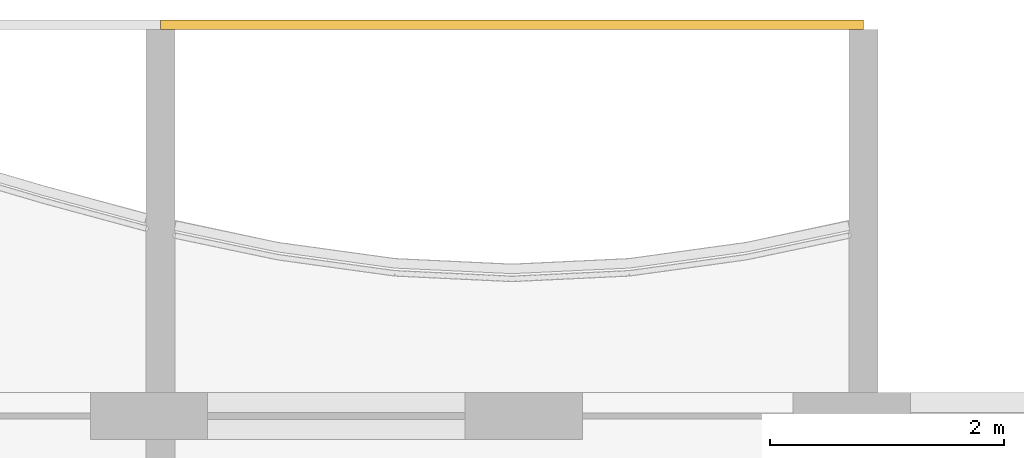
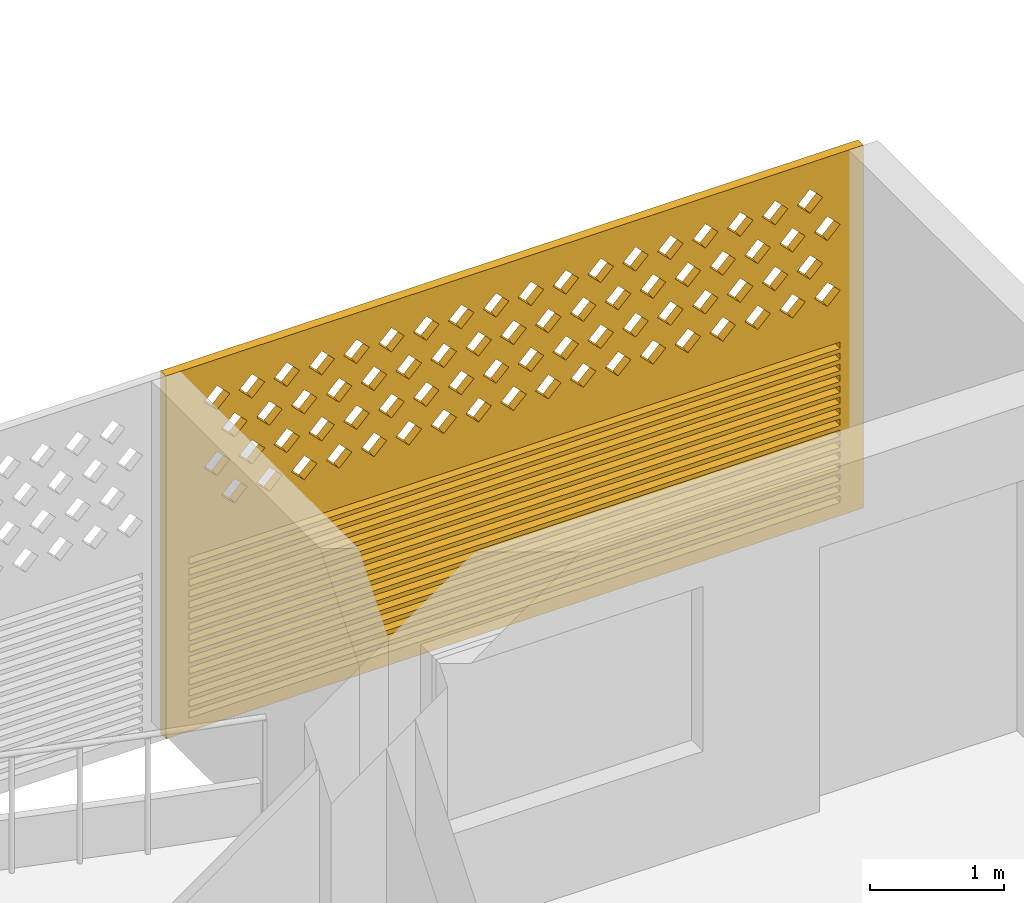
# One storey, part 19 of 27: 1 covering.
"""IFC4 building model written with IfcOpenShell, lengths in metres."""

from ifc_helpers import new_model, si_unit, direction, frame, origin, place, context, subcontext, project, spatial, polyline, outline, extrude, source, transform, mapped, material, material_profile, profile_set, type_object, element, save


model = new_model("IFC4")

# Units and contexts
model_context = context("Model", 3, precision=1e-05, world=origin(), true_north=direction((0.0, 1.0)))
body_context = subcontext(model_context, "Body", "Model", "MODEL_VIEW")
ifc_project = project(units=[si_unit("LENGTHUNIT", "METRE"), si_unit("AREAUNIT", "SQUARE_METRE"), si_unit("VOLUMEUNIT", "CUBIC_METRE"), si_unit("PLANEANGLEUNIT", "RADIAN"), si_unit("MASSUNIT", "GRAM", prefix="KILO")], contexts=[model_context])

# Site, building, storey
site_placement = place(None, origin())
site = spatial("IfcSite", under=ifc_project, at=site_placement, CompositionType="ELEMENT")
building_placement = place(site_placement, origin())
building = spatial("IfcBuilding", under=site, at=building_placement, Name="Poui Terraces", CompositionType="ELEMENT")
storey_placement = place(building_placement, frame((0.0, 0.0, 251.10009765625)))
storey = spatial("IfcBuildingStorey", under=building, at=storey_placement, Name="L70", CompositionType="ELEMENT", Elevation=251.10009765625)

# Covering
ifc_material = material(Name="Terracotta screen", Category="masonry")
ifc_material_profile = material_profile(ifc_material, outline(polyline([(-3.0, -1.64990234375), (3.0, -1.64990234375), (3.0, 1.64990234375), (-3.0, 1.64990234375), (-3.0, -1.64990234375)]), holes=[polyline([(-2.800048828125, 0.39990234375), (-2.68994140625, 0.2900390625), (-2.580078125, 0.39990234375), (-2.68994140625, 0.510009765625), (-2.800048828125, 0.39990234375)]), polyline([(-2.5, 0.39990234375), (-2.389892578125, 0.2900390625), (-2.280029296875, 0.39990234375), (-2.389892578125, 0.510009765625), (-2.5, 0.39990234375)]), polyline([(-2.199951171875, 0.39990234375), (-2.090087890625, 0.2900390625), (-1.97998046875, 0.39990234375), (-2.090087890625, 0.510009765625), (-2.199951171875, 0.39990234375)]), polyline([(-1.89990234375, 0.39990234375), (-1.7900390625, 0.2900390625), (-1.679931640625, 0.39990234375), (-1.7900390625, 0.510009765625), (-1.89990234375, 0.39990234375)]), polyline([(-1.60009765625, 0.39990234375), (-1.489990234375, 0.2900390625), (-1.3798828125, 0.39990234375), (-1.489990234375, 0.510009765625), (-1.60009765625, 0.39990234375)]), polyline([(-1.300048828125, 0.39990234375), (-1.18994140625, 0.2900390625), (-1.080078125, 0.39990234375), (-1.18994140625, 0.510009765625), (-1.300048828125, 0.39990234375)]), polyline([(-1.0, 0.39990234375), (-0.889892578125, 0.2900390625), (-0.780029296875, 0.39990234375), (-0.889892578125, 0.510009765625), (-1.0, 0.39990234375)]), polyline([(-0.699951171875, 0.39990234375), (-0.590087890625, 0.2900390625), (-0.47998046875, 0.39990234375), (-0.590087890625, 0.510009765625), (-0.699951171875, 0.39990234375)]), polyline([(-0.39990234375, 0.39990234375), (-0.2900390625, 0.2900390625), (-0.179931640625, 0.39990234375), (-0.2900390625, 0.510009765625), (-0.39990234375, 0.39990234375)]), polyline([(-0.10009765625, 0.39990234375), (0.010009765625, 0.2900390625), (0.1201171875, 0.39990234375), (0.010009765625, 0.510009765625), (-0.10009765625, 0.39990234375)]), polyline([(0.199951171875, 0.39990234375), (0.31005859375, 0.2900390625), (0.419921875, 0.39990234375), (0.31005859375, 0.510009765625), (0.199951171875, 0.39990234375)]), polyline([(0.5, 0.39990234375), (0.610107421875, 0.2900390625), (0.719970703125, 0.39990234375), (0.610107421875, 0.510009765625), (0.5, 0.39990234375)]), polyline([(0.800048828125, 0.39990234375), (0.909912109375, 0.2900390625), (1.02001953125, 0.39990234375), (0.909912109375, 0.510009765625), (0.800048828125, 0.39990234375)]), polyline([(1.10009765625, 0.39990234375), (1.2099609375, 0.2900390625), (1.320068359375, 0.39990234375), (1.2099609375, 0.510009765625), (1.10009765625, 0.39990234375)]), polyline([(1.39990234375, 0.39990234375), (1.510009765625, 0.2900390625), (1.6201171875, 0.39990234375), (1.510009765625, 0.510009765625), (1.39990234375, 0.39990234375)]), polyline([(1.699951171875, 0.39990234375), (1.81005859375, 0.2900390625), (1.919921875, 0.39990234375), (1.81005859375, 0.510009765625), (1.699951171875, 0.39990234375)]), polyline([(2.0, 0.39990234375), (2.110107421875, 0.2900390625), (2.219970703125, 0.39990234375), (2.110107421875, 0.510009765625), (2.0, 0.39990234375)]), polyline([(2.300048828125, 0.39990234375), (2.409912109375, 0.2900390625), (2.52001953125, 0.39990234375), (2.409912109375, 0.510009765625), (2.300048828125, 0.39990234375)]), polyline([(-2.64990234375, 0.699951171875), (-2.5400390625, 0.590087890625), (-2.429931640625, 0.699951171875), (-2.5400390625, 0.81005859375), (-2.64990234375, 0.699951171875)]), polyline([(-2.35009765625, 0.699951171875), (-2.239990234375, 0.590087890625), (-2.1298828125, 0.699951171875), (-2.239990234375, 0.81005859375), (-2.35009765625, 0.699951171875)]), polyline([(-2.050048828125, 0.699951171875), (-1.93994140625, 0.590087890625), (-1.830078125, 0.699951171875), (-1.93994140625, 0.81005859375), (-2.050048828125, 0.699951171875)]), polyline([(-1.75, 0.699951171875), (-1.639892578125, 0.590087890625), (-1.530029296875, 0.699951171875), (-1.639892578125, 0.81005859375), (-1.75, 0.699951171875)]), polyline([(-1.449951171875, 0.699951171875), (-1.340087890625, 0.590087890625), (-1.22998046875, 0.699951171875), (-1.340087890625, 0.81005859375), (-1.449951171875, 0.699951171875)]), polyline([(-1.14990234375, 0.699951171875), (-1.0400390625, 0.590087890625), (-0.929931640625, 0.699951171875), (-1.0400390625, 0.81005859375), (-1.14990234375, 0.699951171875)]), polyline([(-0.85009765625, 0.699951171875), (-0.739990234375, 0.590087890625), (-0.6298828125, 0.699951171875), (-0.739990234375, 0.81005859375), (-0.85009765625, 0.699951171875)]), polyline([(-0.550048828125, 0.699951171875), (-0.43994140625, 0.590087890625), (-0.330078125, 0.699951171875), (-0.43994140625, 0.81005859375), (-0.550048828125, 0.699951171875)]), polyline([(-0.25, 0.699951171875), (-0.139892578125, 0.590087890625), (-0.030029296875, 0.699951171875), (-0.139892578125, 0.81005859375), (-0.25, 0.699951171875)]), polyline([(0.050048828125, 0.699951171875), (0.159912109375, 0.590087890625), (0.27001953125, 0.699951171875), (0.159912109375, 0.81005859375), (0.050048828125, 0.699951171875)]), polyline([(0.35009765625, 0.699951171875), (0.4599609375, 0.590087890625), (0.570068359375, 0.699951171875), (0.4599609375, 0.81005859375), (0.35009765625, 0.699951171875)]), polyline([(0.64990234375, 0.699951171875), (0.760009765625, 0.590087890625), (0.8701171875, 0.699951171875), (0.760009765625, 0.81005859375), (0.64990234375, 0.699951171875)]), polyline([(0.949951171875, 0.699951171875), (1.06005859375, 0.590087890625), (1.169921875, 0.699951171875), (1.06005859375, 0.81005859375), (0.949951171875, 0.699951171875)]), polyline([(1.25, 0.699951171875), (1.360107421875, 0.590087890625), (1.469970703125, 0.699951171875), (1.360107421875, 0.81005859375), (1.25, 0.699951171875)]), polyline([(1.550048828125, 0.699951171875), (1.659912109375, 0.590087890625), (1.77001953125, 0.699951171875), (1.659912109375, 0.81005859375), (1.550048828125, 0.699951171875)]), polyline([(1.85009765625, 0.699951171875), (1.9599609375, 0.590087890625), (2.070068359375, 0.699951171875), (1.9599609375, 0.81005859375), (1.85009765625, 0.699951171875)]), polyline([(2.14990234375, 0.699951171875), (2.260009765625, 0.590087890625), (2.3701171875, 0.699951171875), (2.260009765625, 0.81005859375), (2.14990234375, 0.699951171875)]), polyline([(2.449951171875, 0.699951171875), (2.56005859375, 0.590087890625), (2.669921875, 0.699951171875), (2.56005859375, 0.81005859375), (2.449951171875, 0.699951171875)]), polyline([(-2.800048828125, 1.0), (-2.68994140625, 0.889892578125), (-2.580078125, 1.0), (-2.68994140625, 1.110107421875), (-2.800048828125, 1.0)]), polyline([(-2.5, 1.0), (-2.389892578125, 0.889892578125), (-2.280029296875, 1.0), (-2.389892578125, 1.110107421875), (-2.5, 1.0)]), polyline([(-2.199951171875, 1.0), (-2.090087890625, 0.889892578125), (-1.97998046875, 1.0), (-2.090087890625, 1.110107421875), (-2.199951171875, 1.0)]), polyline([(-1.89990234375, 1.0), (-1.7900390625, 0.889892578125), (-1.679931640625, 1.0), (-1.7900390625, 1.110107421875), (-1.89990234375, 1.0)]), polyline([(-1.60009765625, 1.0), (-1.489990234375, 0.889892578125), (-1.3798828125, 1.0), (-1.489990234375, 1.110107421875), (-1.60009765625, 1.0)]), polyline([(-1.300048828125, 1.0), (-1.18994140625, 0.889892578125), (-1.080078125, 1.0), (-1.18994140625, 1.110107421875), (-1.300048828125, 1.0)]), polyline([(-1.0, 1.0), (-0.889892578125, 0.889892578125), (-0.780029296875, 1.0), (-0.889892578125, 1.110107421875), (-1.0, 1.0)]), polyline([(-0.699951171875, 1.0), (-0.590087890625, 0.889892578125), (-0.47998046875, 1.0), (-0.590087890625, 1.110107421875), (-0.699951171875, 1.0)]), polyline([(-0.39990234375, 1.0), (-0.2900390625, 0.889892578125), (-0.179931640625, 1.0), (-0.2900390625, 1.110107421875), (-0.39990234375, 1.0)]), polyline([(-0.10009765625, 1.0), (0.010009765625, 0.889892578125), (0.1201171875, 1.0), (0.010009765625, 1.110107421875), (-0.10009765625, 1.0)]), polyline([(0.199951171875, 1.0), (0.31005859375, 0.889892578125), (0.419921875, 1.0), (0.31005859375, 1.110107421875), (0.199951171875, 1.0)]), polyline([(0.5, 1.0), (0.610107421875, 0.889892578125), (0.719970703125, 1.0), (0.610107421875, 1.110107421875), (0.5, 1.0)]), polyline([(0.800048828125, 1.0), (0.909912109375, 0.889892578125), (1.02001953125, 1.0), (0.909912109375, 1.110107421875), (0.800048828125, 1.0)]), polyline([(1.10009765625, 1.0), (1.2099609375, 0.889892578125), (1.320068359375, 1.0), (1.2099609375, 1.110107421875), (1.10009765625, 1.0)]), polyline([(1.39990234375, 1.0), (1.510009765625, 0.889892578125), (1.6201171875, 1.0), (1.510009765625, 1.110107421875), (1.39990234375, 1.0)]), polyline([(1.699951171875, 1.0), (1.81005859375, 0.889892578125), (1.919921875, 1.0), (1.81005859375, 1.110107421875), (1.699951171875, 1.0)]), polyline([(2.0, 1.0), (2.110107421875, 0.889892578125), (2.219970703125, 1.0), (2.110107421875, 1.110107421875), (2.0, 1.0)]), polyline([(2.300048828125, 1.0), (2.409912109375, 0.889892578125), (2.52001953125, 1.0), (2.409912109375, 1.110107421875), (2.300048828125, 1.0)]), polyline([(-2.64990234375, 1.300048828125), (-2.5400390625, 1.18994140625), (-2.429931640625, 1.300048828125), (-2.5400390625, 1.409912109375), (-2.64990234375, 1.300048828125)]), polyline([(-2.35009765625, 1.300048828125), (-2.239990234375, 1.18994140625), (-2.1298828125, 1.300048828125), (-2.239990234375, 1.409912109375), (-2.35009765625, 1.300048828125)]), polyline([(-2.050048828125, 1.300048828125), (-1.93994140625, 1.18994140625), (-1.830078125, 1.300048828125), (-1.93994140625, 1.409912109375), (-2.050048828125, 1.300048828125)]), polyline([(-1.75, 1.300048828125), (-1.639892578125, 1.18994140625), (-1.530029296875, 1.300048828125), (-1.639892578125, 1.409912109375), (-1.75, 1.300048828125)]), polyline([(-1.449951171875, 1.300048828125), (-1.340087890625, 1.18994140625), (-1.22998046875, 1.300048828125), (-1.340087890625, 1.409912109375), (-1.449951171875, 1.300048828125)]), polyline([(-1.14990234375, 1.300048828125), (-1.0400390625, 1.18994140625), (-0.929931640625, 1.300048828125), (-1.0400390625, 1.409912109375), (-1.14990234375, 1.300048828125)]), polyline([(-0.85009765625, 1.300048828125), (-0.739990234375, 1.18994140625), (-0.6298828125, 1.300048828125), (-0.739990234375, 1.409912109375), (-0.85009765625, 1.300048828125)]), polyline([(-0.550048828125, 1.300048828125), (-0.43994140625, 1.18994140625), (-0.330078125, 1.300048828125), (-0.43994140625, 1.409912109375), (-0.550048828125, 1.300048828125)]), polyline([(-0.25, 1.300048828125), (-0.139892578125, 1.18994140625), (-0.030029296875, 1.300048828125), (-0.139892578125, 1.409912109375), (-0.25, 1.300048828125)]), polyline([(0.050048828125, 1.300048828125), (0.159912109375, 1.18994140625), (0.27001953125, 1.300048828125), (0.159912109375, 1.409912109375), (0.050048828125, 1.300048828125)]), polyline([(0.35009765625, 1.300048828125), (0.4599609375, 1.18994140625), (0.570068359375, 1.300048828125), (0.4599609375, 1.409912109375), (0.35009765625, 1.300048828125)]), polyline([(0.64990234375, 1.300048828125), (0.760009765625, 1.18994140625), (0.8701171875, 1.300048828125), (0.760009765625, 1.409912109375), (0.64990234375, 1.300048828125)]), polyline([(0.949951171875, 1.300048828125), (1.06005859375, 1.18994140625), (1.169921875, 1.300048828125), (1.06005859375, 1.409912109375), (0.949951171875, 1.300048828125)]), polyline([(1.25, 1.300048828125), (1.360107421875, 1.18994140625), (1.469970703125, 1.300048828125), (1.360107421875, 1.409912109375), (1.25, 1.300048828125)]), polyline([(1.550048828125, 1.300048828125), (1.659912109375, 1.18994140625), (1.77001953125, 1.300048828125), (1.659912109375, 1.409912109375), (1.550048828125, 1.300048828125)]), polyline([(1.85009765625, 1.300048828125), (1.9599609375, 1.18994140625), (2.070068359375, 1.300048828125), (1.9599609375, 1.409912109375), (1.85009765625, 1.300048828125)]), polyline([(2.14990234375, 1.300048828125), (2.260009765625, 1.18994140625), (2.3701171875, 1.300048828125), (2.260009765625, 1.409912109375), (2.14990234375, 1.300048828125)]), polyline([(2.449951171875, 1.300048828125), (2.56005859375, 1.18994140625), (2.669921875, 1.300048828125), (2.56005859375, 1.409912109375), (2.449951171875, 1.300048828125)]), polyline([(-2.800048828125, -1.530029296875), (2.800048828125, -1.530029296875), (2.800048828125, -1.469970703125), (-2.800048828125, -1.469970703125), (-2.800048828125, -1.530029296875)]), polyline([(-2.800048828125, -1.429931640625), (2.800048828125, -1.429931640625), (2.800048828125, -1.3701171875), (-2.800048828125, -1.3701171875), (-2.800048828125, -1.429931640625)]), polyline([(-2.800048828125, -1.330078125), (2.800048828125, -1.330078125), (2.800048828125, -1.27001953125), (-2.800048828125, -1.27001953125), (-2.800048828125, -1.330078125)]), polyline([(-2.800048828125, -1.22998046875), (2.800048828125, -1.22998046875), (2.800048828125, -1.169921875), (-2.800048828125, -1.169921875), (-2.800048828125, -1.22998046875)]), polyline([(-2.800048828125, -1.1298828125), (2.800048828125, -1.1298828125), (2.800048828125, -1.070068359375), (-2.800048828125, -1.070068359375), (-2.800048828125, -1.1298828125)]), polyline([(-2.800048828125, -1.030029296875), (2.800048828125, -1.030029296875), (2.800048828125, -0.969970703125), (-2.800048828125, -0.969970703125), (-2.800048828125, -1.030029296875)]), polyline([(-2.800048828125, -0.929931640625), (2.800048828125, -0.929931640625), (2.800048828125, -0.8701171875), (-2.800048828125, -0.8701171875), (-2.800048828125, -0.929931640625)]), polyline([(-2.800048828125, -0.830078125), (2.800048828125, -0.830078125), (2.800048828125, -0.77001953125), (-2.800048828125, -0.77001953125), (-2.800048828125, -0.830078125)]), polyline([(-2.800048828125, -0.72998046875), (2.800048828125, -0.72998046875), (2.800048828125, -0.669921875), (-2.800048828125, -0.669921875), (-2.800048828125, -0.72998046875)]), polyline([(-2.800048828125, -0.6298828125), (2.800048828125, -0.6298828125), (2.800048828125, -0.570068359375), (-2.800048828125, -0.570068359375), (-2.800048828125, -0.6298828125)]), polyline([(-2.800048828125, -0.530029296875), (2.800048828125, -0.530029296875), (2.800048828125, -0.469970703125), (-2.800048828125, -0.469970703125), (-2.800048828125, -0.530029296875)]), polyline([(-2.800048828125, -0.429931640625), (2.800048828125, -0.429931640625), (2.800048828125, -0.3701171875), (-2.800048828125, -0.3701171875), (-2.800048828125, -0.429931640625)]), polyline([(-2.800048828125, -0.330078125), (2.800048828125, -0.330078125), (2.800048828125, -0.27001953125), (-2.800048828125, -0.27001953125), (-2.800048828125, -0.330078125)]), polyline([(-2.800048828125, -0.22998046875), (2.800048828125, -0.22998046875), (2.800048828125, -0.169921875), (-2.800048828125, -0.169921875), (-2.800048828125, -0.22998046875)]), polyline([(-2.800048828125, -0.1298828125), (2.800048828125, -0.1298828125), (2.800048828125, -0.070068359375), (-2.800048828125, -0.070068359375), (-2.800048828125, -0.1298828125)])]), Name="TERRACOTTA SCREEN AND JALOUSIE LOUVRE 6000X3300")
ifc_profile_set = profile_set([ifc_material_profile], Name="Terracotta screen")
covering_type = type_object("IfcCoveringType", Name="TERRACOTTA SCREEN AND JALOUSIE LOUVRE 6000X3300", PredefinedType="CLADDING", material=ifc_profile_set)
shared_shape = source(origin(), body_context, "Body", "SweptSolid", [
    extrude(outline(polyline([(-3.0, -1.64990234375), (3.0, -1.64990234375), (3.0, 1.64990234375), (-3.0, 1.64990234375), (-3.0, -1.64990234375)]), holes=[polyline([(-2.800048828125, 0.39990234375), (-2.68994140625, 0.2900390625), (-2.580078125, 0.39990234375), (-2.68994140625, 0.510009765625), (-2.800048828125, 0.39990234375)]), polyline([(-2.5, 0.39990234375), (-2.389892578125, 0.2900390625), (-2.280029296875, 0.39990234375), (-2.389892578125, 0.510009765625), (-2.5, 0.39990234375)]), polyline([(-2.199951171875, 0.39990234375), (-2.090087890625, 0.2900390625), (-1.97998046875, 0.39990234375), (-2.090087890625, 0.510009765625), (-2.199951171875, 0.39990234375)]), polyline([(-1.89990234375, 0.39990234375), (-1.7900390625, 0.2900390625), (-1.679931640625, 0.39990234375), (-1.7900390625, 0.510009765625), (-1.89990234375, 0.39990234375)]), polyline([(-1.60009765625, 0.39990234375), (-1.489990234375, 0.2900390625), (-1.3798828125, 0.39990234375), (-1.489990234375, 0.510009765625), (-1.60009765625, 0.39990234375)]), polyline([(-1.300048828125, 0.39990234375), (-1.18994140625, 0.2900390625), (-1.080078125, 0.39990234375), (-1.18994140625, 0.510009765625), (-1.300048828125, 0.39990234375)]), polyline([(-1.0, 0.39990234375), (-0.889892578125, 0.2900390625), (-0.780029296875, 0.39990234375), (-0.889892578125, 0.510009765625), (-1.0, 0.39990234375)]), polyline([(-0.699951171875, 0.39990234375), (-0.590087890625, 0.2900390625), (-0.47998046875, 0.39990234375), (-0.590087890625, 0.510009765625), (-0.699951171875, 0.39990234375)]), polyline([(-0.39990234375, 0.39990234375), (-0.2900390625, 0.2900390625), (-0.179931640625, 0.39990234375), (-0.2900390625, 0.510009765625), (-0.39990234375, 0.39990234375)]), polyline([(-0.10009765625, 0.39990234375), (0.010009765625, 0.2900390625), (0.1201171875, 0.39990234375), (0.010009765625, 0.510009765625), (-0.10009765625, 0.39990234375)]), polyline([(0.199951171875, 0.39990234375), (0.31005859375, 0.2900390625), (0.419921875, 0.39990234375), (0.31005859375, 0.510009765625), (0.199951171875, 0.39990234375)]), polyline([(0.5, 0.39990234375), (0.610107421875, 0.2900390625), (0.719970703125, 0.39990234375), (0.610107421875, 0.510009765625), (0.5, 0.39990234375)]), polyline([(0.800048828125, 0.39990234375), (0.909912109375, 0.2900390625), (1.02001953125, 0.39990234375), (0.909912109375, 0.510009765625), (0.800048828125, 0.39990234375)]), polyline([(1.10009765625, 0.39990234375), (1.2099609375, 0.2900390625), (1.320068359375, 0.39990234375), (1.2099609375, 0.510009765625), (1.10009765625, 0.39990234375)]), polyline([(1.39990234375, 0.39990234375), (1.510009765625, 0.2900390625), (1.6201171875, 0.39990234375), (1.510009765625, 0.510009765625), (1.39990234375, 0.39990234375)]), polyline([(1.699951171875, 0.39990234375), (1.81005859375, 0.2900390625), (1.919921875, 0.39990234375), (1.81005859375, 0.510009765625), (1.699951171875, 0.39990234375)]), polyline([(2.0, 0.39990234375), (2.110107421875, 0.2900390625), (2.219970703125, 0.39990234375), (2.110107421875, 0.510009765625), (2.0, 0.39990234375)]), polyline([(2.300048828125, 0.39990234375), (2.409912109375, 0.2900390625), (2.52001953125, 0.39990234375), (2.409912109375, 0.510009765625), (2.300048828125, 0.39990234375)]), polyline([(-2.64990234375, 0.699951171875), (-2.5400390625, 0.590087890625), (-2.429931640625, 0.699951171875), (-2.5400390625, 0.81005859375), (-2.64990234375, 0.699951171875)]), polyline([(-2.35009765625, 0.699951171875), (-2.239990234375, 0.590087890625), (-2.1298828125, 0.699951171875), (-2.239990234375, 0.81005859375), (-2.35009765625, 0.699951171875)]), polyline([(-2.050048828125, 0.699951171875), (-1.93994140625, 0.590087890625), (-1.830078125, 0.699951171875), (-1.93994140625, 0.81005859375), (-2.050048828125, 0.699951171875)]), polyline([(-1.75, 0.699951171875), (-1.639892578125, 0.590087890625), (-1.530029296875, 0.699951171875), (-1.639892578125, 0.81005859375), (-1.75, 0.699951171875)]), polyline([(-1.449951171875, 0.699951171875), (-1.340087890625, 0.590087890625), (-1.22998046875, 0.699951171875), (-1.340087890625, 0.81005859375), (-1.449951171875, 0.699951171875)]), polyline([(-1.14990234375, 0.699951171875), (-1.0400390625, 0.590087890625), (-0.929931640625, 0.699951171875), (-1.0400390625, 0.81005859375), (-1.14990234375, 0.699951171875)]), polyline([(-0.85009765625, 0.699951171875), (-0.739990234375, 0.590087890625), (-0.6298828125, 0.699951171875), (-0.739990234375, 0.81005859375), (-0.85009765625, 0.699951171875)]), polyline([(-0.550048828125, 0.699951171875), (-0.43994140625, 0.590087890625), (-0.330078125, 0.699951171875), (-0.43994140625, 0.81005859375), (-0.550048828125, 0.699951171875)]), polyline([(-0.25, 0.699951171875), (-0.139892578125, 0.590087890625), (-0.030029296875, 0.699951171875), (-0.139892578125, 0.81005859375), (-0.25, 0.699951171875)]), polyline([(0.050048828125, 0.699951171875), (0.159912109375, 0.590087890625), (0.27001953125, 0.699951171875), (0.159912109375, 0.81005859375), (0.050048828125, 0.699951171875)]), polyline([(0.35009765625, 0.699951171875), (0.4599609375, 0.590087890625), (0.570068359375, 0.699951171875), (0.4599609375, 0.81005859375), (0.35009765625, 0.699951171875)]), polyline([(0.64990234375, 0.699951171875), (0.760009765625, 0.590087890625), (0.8701171875, 0.699951171875), (0.760009765625, 0.81005859375), (0.64990234375, 0.699951171875)]), polyline([(0.949951171875, 0.699951171875), (1.06005859375, 0.590087890625), (1.169921875, 0.699951171875), (1.06005859375, 0.81005859375), (0.949951171875, 0.699951171875)]), polyline([(1.25, 0.699951171875), (1.360107421875, 0.590087890625), (1.469970703125, 0.699951171875), (1.360107421875, 0.81005859375), (1.25, 0.699951171875)]), polyline([(1.550048828125, 0.699951171875), (1.659912109375, 0.590087890625), (1.77001953125, 0.699951171875), (1.659912109375, 0.81005859375), (1.550048828125, 0.699951171875)]), polyline([(1.85009765625, 0.699951171875), (1.9599609375, 0.590087890625), (2.070068359375, 0.699951171875), (1.9599609375, 0.81005859375), (1.85009765625, 0.699951171875)]), polyline([(2.14990234375, 0.699951171875), (2.260009765625, 0.590087890625), (2.3701171875, 0.699951171875), (2.260009765625, 0.81005859375), (2.14990234375, 0.699951171875)]), polyline([(2.449951171875, 0.699951171875), (2.56005859375, 0.590087890625), (2.669921875, 0.699951171875), (2.56005859375, 0.81005859375), (2.449951171875, 0.699951171875)]), polyline([(-2.800048828125, 1.0), (-2.68994140625, 0.889892578125), (-2.580078125, 1.0), (-2.68994140625, 1.110107421875), (-2.800048828125, 1.0)]), polyline([(-2.5, 1.0), (-2.389892578125, 0.889892578125), (-2.280029296875, 1.0), (-2.389892578125, 1.110107421875), (-2.5, 1.0)]), polyline([(-2.199951171875, 1.0), (-2.090087890625, 0.889892578125), (-1.97998046875, 1.0), (-2.090087890625, 1.110107421875), (-2.199951171875, 1.0)]), polyline([(-1.89990234375, 1.0), (-1.7900390625, 0.889892578125), (-1.679931640625, 1.0), (-1.7900390625, 1.110107421875), (-1.89990234375, 1.0)]), polyline([(-1.60009765625, 1.0), (-1.489990234375, 0.889892578125), (-1.3798828125, 1.0), (-1.489990234375, 1.110107421875), (-1.60009765625, 1.0)]), polyline([(-1.300048828125, 1.0), (-1.18994140625, 0.889892578125), (-1.080078125, 1.0), (-1.18994140625, 1.110107421875), (-1.300048828125, 1.0)]), polyline([(-1.0, 1.0), (-0.889892578125, 0.889892578125), (-0.780029296875, 1.0), (-0.889892578125, 1.110107421875), (-1.0, 1.0)]), polyline([(-0.699951171875, 1.0), (-0.590087890625, 0.889892578125), (-0.47998046875, 1.0), (-0.590087890625, 1.110107421875), (-0.699951171875, 1.0)]), polyline([(-0.39990234375, 1.0), (-0.2900390625, 0.889892578125), (-0.179931640625, 1.0), (-0.2900390625, 1.110107421875), (-0.39990234375, 1.0)]), polyline([(-0.10009765625, 1.0), (0.010009765625, 0.889892578125), (0.1201171875, 1.0), (0.010009765625, 1.110107421875), (-0.10009765625, 1.0)]), polyline([(0.199951171875, 1.0), (0.31005859375, 0.889892578125), (0.419921875, 1.0), (0.31005859375, 1.110107421875), (0.199951171875, 1.0)]), polyline([(0.5, 1.0), (0.610107421875, 0.889892578125), (0.719970703125, 1.0), (0.610107421875, 1.110107421875), (0.5, 1.0)]), polyline([(0.800048828125, 1.0), (0.909912109375, 0.889892578125), (1.02001953125, 1.0), (0.909912109375, 1.110107421875), (0.800048828125, 1.0)]), polyline([(1.10009765625, 1.0), (1.2099609375, 0.889892578125), (1.320068359375, 1.0), (1.2099609375, 1.110107421875), (1.10009765625, 1.0)]), polyline([(1.39990234375, 1.0), (1.510009765625, 0.889892578125), (1.6201171875, 1.0), (1.510009765625, 1.110107421875), (1.39990234375, 1.0)]), polyline([(1.699951171875, 1.0), (1.81005859375, 0.889892578125), (1.919921875, 1.0), (1.81005859375, 1.110107421875), (1.699951171875, 1.0)]), polyline([(2.0, 1.0), (2.110107421875, 0.889892578125), (2.219970703125, 1.0), (2.110107421875, 1.110107421875), (2.0, 1.0)]), polyline([(2.300048828125, 1.0), (2.409912109375, 0.889892578125), (2.52001953125, 1.0), (2.409912109375, 1.110107421875), (2.300048828125, 1.0)]), polyline([(-2.64990234375, 1.300048828125), (-2.5400390625, 1.18994140625), (-2.429931640625, 1.300048828125), (-2.5400390625, 1.409912109375), (-2.64990234375, 1.300048828125)]), polyline([(-2.35009765625, 1.300048828125), (-2.239990234375, 1.18994140625), (-2.1298828125, 1.300048828125), (-2.239990234375, 1.409912109375), (-2.35009765625, 1.300048828125)]), polyline([(-2.050048828125, 1.300048828125), (-1.93994140625, 1.18994140625), (-1.830078125, 1.300048828125), (-1.93994140625, 1.409912109375), (-2.050048828125, 1.300048828125)]), polyline([(-1.75, 1.300048828125), (-1.639892578125, 1.18994140625), (-1.530029296875, 1.300048828125), (-1.639892578125, 1.409912109375), (-1.75, 1.300048828125)]), polyline([(-1.449951171875, 1.300048828125), (-1.340087890625, 1.18994140625), (-1.22998046875, 1.300048828125), (-1.340087890625, 1.409912109375), (-1.449951171875, 1.300048828125)]), polyline([(-1.14990234375, 1.300048828125), (-1.0400390625, 1.18994140625), (-0.929931640625, 1.300048828125), (-1.0400390625, 1.409912109375), (-1.14990234375, 1.300048828125)]), polyline([(-0.85009765625, 1.300048828125), (-0.739990234375, 1.18994140625), (-0.6298828125, 1.300048828125), (-0.739990234375, 1.409912109375), (-0.85009765625, 1.300048828125)]), polyline([(-0.550048828125, 1.300048828125), (-0.43994140625, 1.18994140625), (-0.330078125, 1.300048828125), (-0.43994140625, 1.409912109375), (-0.550048828125, 1.300048828125)]), polyline([(-0.25, 1.300048828125), (-0.139892578125, 1.18994140625), (-0.030029296875, 1.300048828125), (-0.139892578125, 1.409912109375), (-0.25, 1.300048828125)]), polyline([(0.050048828125, 1.300048828125), (0.159912109375, 1.18994140625), (0.27001953125, 1.300048828125), (0.159912109375, 1.409912109375), (0.050048828125, 1.300048828125)]), polyline([(0.35009765625, 1.300048828125), (0.4599609375, 1.18994140625), (0.570068359375, 1.300048828125), (0.4599609375, 1.409912109375), (0.35009765625, 1.300048828125)]), polyline([(0.64990234375, 1.300048828125), (0.760009765625, 1.18994140625), (0.8701171875, 1.300048828125), (0.760009765625, 1.409912109375), (0.64990234375, 1.300048828125)]), polyline([(0.949951171875, 1.300048828125), (1.06005859375, 1.18994140625), (1.169921875, 1.300048828125), (1.06005859375, 1.409912109375), (0.949951171875, 1.300048828125)]), polyline([(1.25, 1.300048828125), (1.360107421875, 1.18994140625), (1.469970703125, 1.300048828125), (1.360107421875, 1.409912109375), (1.25, 1.300048828125)]), polyline([(1.550048828125, 1.300048828125), (1.659912109375, 1.18994140625), (1.77001953125, 1.300048828125), (1.659912109375, 1.409912109375), (1.550048828125, 1.300048828125)]), polyline([(1.85009765625, 1.300048828125), (1.9599609375, 1.18994140625), (2.070068359375, 1.300048828125), (1.9599609375, 1.409912109375), (1.85009765625, 1.300048828125)]), polyline([(2.14990234375, 1.300048828125), (2.260009765625, 1.18994140625), (2.3701171875, 1.300048828125), (2.260009765625, 1.409912109375), (2.14990234375, 1.300048828125)]), polyline([(2.449951171875, 1.300048828125), (2.56005859375, 1.18994140625), (2.669921875, 1.300048828125), (2.56005859375, 1.409912109375), (2.449951171875, 1.300048828125)]), polyline([(-2.800048828125, -1.530029296875), (2.800048828125, -1.530029296875), (2.800048828125, -1.469970703125), (-2.800048828125, -1.469970703125), (-2.800048828125, -1.530029296875)]), polyline([(-2.800048828125, -1.429931640625), (2.800048828125, -1.429931640625), (2.800048828125, -1.3701171875), (-2.800048828125, -1.3701171875), (-2.800048828125, -1.429931640625)]), polyline([(-2.800048828125, -1.330078125), (2.800048828125, -1.330078125), (2.800048828125, -1.27001953125), (-2.800048828125, -1.27001953125), (-2.800048828125, -1.330078125)]), polyline([(-2.800048828125, -1.22998046875), (2.800048828125, -1.22998046875), (2.800048828125, -1.169921875), (-2.800048828125, -1.169921875), (-2.800048828125, -1.22998046875)]), polyline([(-2.800048828125, -1.1298828125), (2.800048828125, -1.1298828125), (2.800048828125, -1.070068359375), (-2.800048828125, -1.070068359375), (-2.800048828125, -1.1298828125)]), polyline([(-2.800048828125, -1.030029296875), (2.800048828125, -1.030029296875), (2.800048828125, -0.969970703125), (-2.800048828125, -0.969970703125), (-2.800048828125, -1.030029296875)]), polyline([(-2.800048828125, -0.929931640625), (2.800048828125, -0.929931640625), (2.800048828125, -0.8701171875), (-2.800048828125, -0.8701171875), (-2.800048828125, -0.929931640625)]), polyline([(-2.800048828125, -0.830078125), (2.800048828125, -0.830078125), (2.800048828125, -0.77001953125), (-2.800048828125, -0.77001953125), (-2.800048828125, -0.830078125)]), polyline([(-2.800048828125, -0.72998046875), (2.800048828125, -0.72998046875), (2.800048828125, -0.669921875), (-2.800048828125, -0.669921875), (-2.800048828125, -0.72998046875)]), polyline([(-2.800048828125, -0.6298828125), (2.800048828125, -0.6298828125), (2.800048828125, -0.570068359375), (-2.800048828125, -0.570068359375), (-2.800048828125, -0.6298828125)]), polyline([(-2.800048828125, -0.530029296875), (2.800048828125, -0.530029296875), (2.800048828125, -0.469970703125), (-2.800048828125, -0.469970703125), (-2.800048828125, -0.530029296875)]), polyline([(-2.800048828125, -0.429931640625), (2.800048828125, -0.429931640625), (2.800048828125, -0.3701171875), (-2.800048828125, -0.3701171875), (-2.800048828125, -0.429931640625)]), polyline([(-2.800048828125, -0.330078125), (2.800048828125, -0.330078125), (2.800048828125, -0.27001953125), (-2.800048828125, -0.27001953125), (-2.800048828125, -0.330078125)]), polyline([(-2.800048828125, -0.22998046875), (2.800048828125, -0.22998046875), (2.800048828125, -0.169921875), (-2.800048828125, -0.169921875), (-2.800048828125, -0.22998046875)]), polyline([(-2.800048828125, -0.1298828125), (2.800048828125, -0.1298828125), (2.800048828125, -0.070068359375), (-2.800048828125, -0.070068359375), (-2.800048828125, -0.1298828125)])]), origin(), (0.0, 0.0, 1.0), 0.080078125),
])
covering_placement = place(storey_placement, frame((39.0, 44.5, 1.449951171875), z_axis=(0.0, 1.0, 0.0), x_axis=(-1.0, 0.0, 0.0)))
element("IfcCovering", 1, at=covering_placement, inside=storey, type_object=covering_type, Name="SOLAR SCREEN AND JALOUSIE LOUVRE", PredefinedType="CLADDING", context=body_context, shape_type="MappedRepresentation", body=[
    mapped(shared_shape, transform((0.0, 0.0, 0.0))),
])

save(model, "model.ifc")
